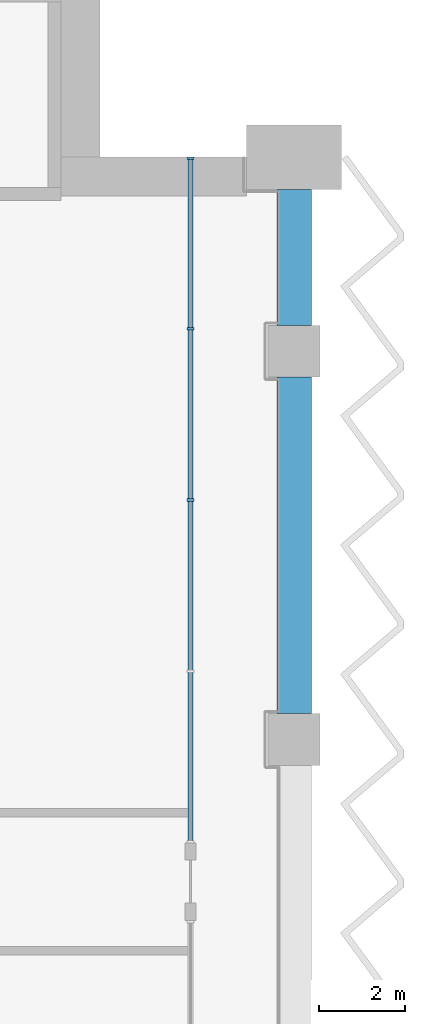
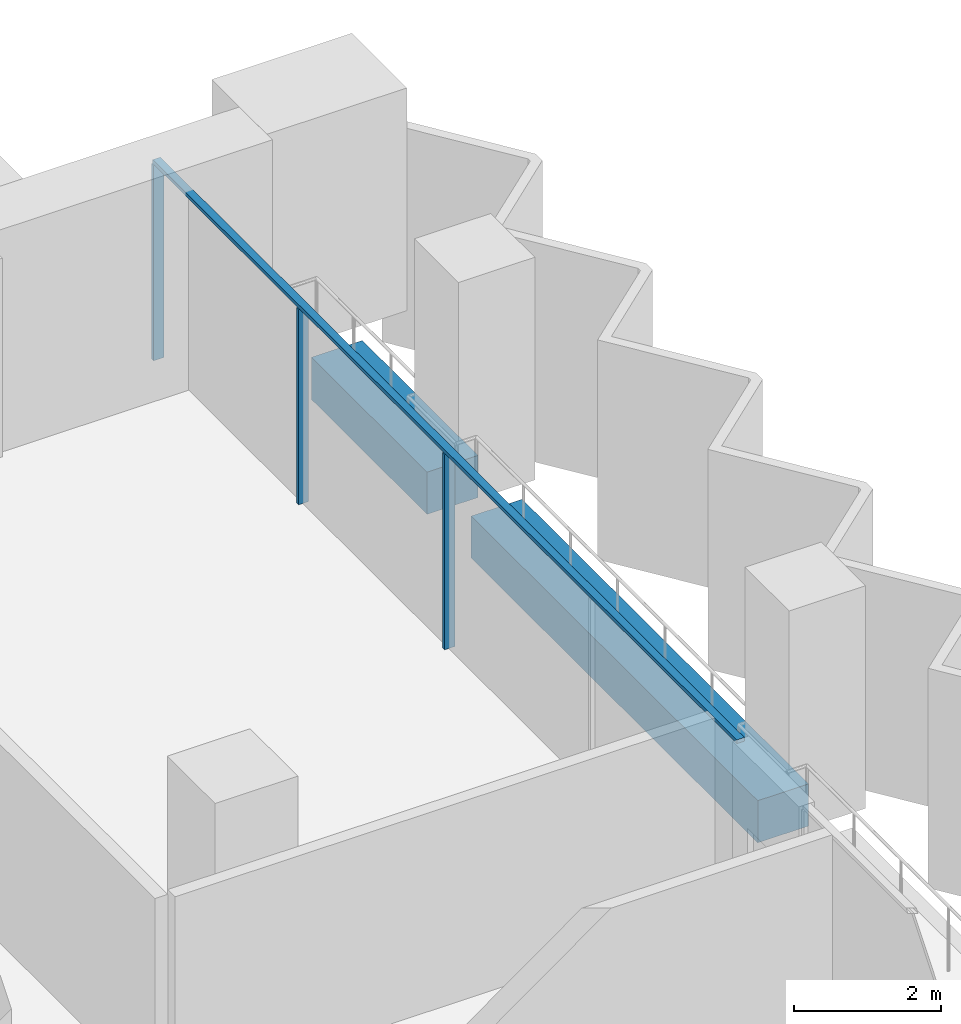
# One storey, part 6 of 23: 4 members, 2 beams, 1 element without a shape of its own.
"""IFC4 building model written with IfcOpenShell, lengths in metres."""

from ifc_helpers import new_model, si_unit, direction, frame, origin, origin_2d, place, context, subcontext, project, spatial, rectangle, extrude, material, material_profile, profile_set, type_object, element, aggregate, save


model = new_model("IFC4")

# Units and contexts
model_context = context("Model", 3, precision=1e-05, world=origin(), true_north=direction((0.0, 1.0)))
body_context = subcontext(model_context, "Body", "Model", "MODEL_VIEW")
ifc_project = project(units=[si_unit("LENGTHUNIT", "METRE"), si_unit("AREAUNIT", "SQUARE_METRE"), si_unit("VOLUMEUNIT", "CUBIC_METRE"), si_unit("PLANEANGLEUNIT", "RADIAN"), si_unit("MASSUNIT", "GRAM", prefix="KILO")], contexts=[model_context])

# Site, building, storey
site_placement = place(None, origin())
site = spatial("IfcSite", under=ifc_project, at=site_placement, CompositionType="ELEMENT")
building_placement = place(site_placement, origin())
building = spatial("IfcBuilding", under=site, at=building_placement, Name="Hunhe Ridgeline Campus", CompositionType="ELEMENT")
storey_placement = place(building_placement, frame((0.0, 0.0, 107.0)))
storey = spatial("IfcBuildingStorey", under=building, at=storey_placement, Name="L26", CompositionType="ELEMENT", Elevation=107.0)

# Curtain wall, members
ifc_material_1 = material(Name="Aluminium 6063", Category="aluminium")
curtain_wall_type = type_object("IfcCurtainWallType", Name="Curtain wall CW-1", PredefinedType="NOTDEFINED", material=ifc_material_1)
curtain_wall_placement = place(storey_placement, origin())
curtain_wall = element("IfcCurtainWall", 1, at=curtain_wall_placement, inside=storey, type_object=curtain_wall_type, Name="Curtain wall 16", PredefinedType="NOTDEFINED")
ifc_material_profile_1 = material_profile(ifc_material_1, rectangle(XDim=0.159912109375, YDim=0.06005859375, at=origin_2d()))
ifc_profile_set_1 = profile_set([ifc_material_profile_1], Name="Aluminium 6063")
member_type_1 = type_object("IfcMemberType", Name="CW-1 aluminium mullion", PredefinedType="MULLION", material=ifc_profile_set_1)
member_1_placement = place(storey_placement, frame((78.59912109375, 86.55029296875, 0.0), z_axis=(0.0, 0.0, 1.0), x_axis=(-1.0, 0.0, 0.0)))
member_1 = element("IfcMember", 2, at=member_1_placement, type_object=member_type_1, Name="CW-1 mullion 3", PredefinedType="MULLION", context=body_context, shape_type="SweptSolid", body=[
    extrude(rectangle(XDim=0.159912109375, YDim=0.06005859375, at=origin_2d()), origin(), (0.0, 0.0, 1.0), 3.239990234375),
])
member_2_placement = place(storey_placement, frame((78.59912109375, 90.525146484375, 0.0), z_axis=(0.0, 0.0, 1.0), x_axis=(-1.0, 0.0, 0.0)))
member_2 = element("IfcMember", 3, at=member_2_placement, type_object=member_type_1, Name="CW-1 mullion 4", PredefinedType="MULLION", context=body_context, shape_type="SweptSolid", body=[
    extrude(rectangle(XDim=0.159912109375, YDim=0.06005859375, at=origin_2d()), origin(), (0.0, 0.0, 1.0), 3.239990234375),
])
member_3_placement = place(storey_placement, frame((78.59912109375, 94.469970703125, 0.0), z_axis=(0.0, 0.0, 1.0), x_axis=(-1.0, 0.0, 0.0)))
member_3 = element("IfcMember", 4, at=member_3_placement, type_object=member_type_1, Name="CW-1 mullion 5", PredefinedType="MULLION", context=body_context, shape_type="SweptSolid", body=[
    extrude(rectangle(XDim=0.159912109375, YDim=0.06005859375, at=origin_2d()), origin(), (0.0, 0.0, 1.0), 3.239990234375),
])
ifc_material_profile_2 = material_profile(ifc_material_1, rectangle(XDim=0.1201171875, YDim=0.06005859375, at=origin_2d()))
ifc_profile_set_2 = profile_set([ifc_material_profile_2], Name="Aluminium 6063")
member_type_2 = type_object("IfcMemberType", Name="CW-1 aluminium transom", PredefinedType="USERDEFINED", material=ifc_profile_set_2)
member_4_placement = place(storey_placement, frame((78.59912109375, 78.6005859375, 3.27001953125), z_axis=(0.0, 1.0, 0.0), x_axis=(-1.0, 0.0, 0.0)))
member_4 = element("IfcMember", 5, at=member_4_placement, type_object=member_type_2, Name="CW-1 transom 1", ObjectType="TRANSOM", PredefinedType="USERDEFINED", context=body_context, shape_type="SweptSolid", body=[
    extrude(rectangle(XDim=0.1201171875, YDim=0.06005859375, at=origin_2d()), origin(), (0.0, 0.0, 1.0), 15.8994140625),
])
aggregate(curtain_wall, [member_4, member_1, member_2, member_3])

# Beams
ifc_material_2 = material(Name="Concrete C60", Category="concrete")
ifc_material_profile_3 = material_profile(ifc_material_2, rectangle(XDim=0.800048828125, YDim=0.699951171875, at=origin_2d()))
ifc_profile_set_3 = profile_set([ifc_material_profile_3], Name="Concrete C60")
beam_type = type_object("IfcBeamType", Name="RC spandrel beam 800x700 Concrete C60", PredefinedType="SPANDREL", material=ifc_profile_set_3)
beam_1_placement = place(storey_placement, frame((81.0, 81.60009765625, -0.60009765625), z_axis=(0.0, 1.0, 0.0), x_axis=(-1.0, 0.0, 0.0)))
element("IfcBeam", 6, at=beam_1_placement, inside=storey, type_object=beam_type, Name="Spandrel beam B1-21 L26", PredefinedType="SPANDREL", context=body_context, shape_type="SweptSolid", body=[
    extrude(rectangle(XDim=0.800048828125, YDim=0.699951171875, at=origin_2d()), origin(), (0.0, 0.0, 1.0), 7.7998046875),
])
beam_2_placement = place(storey_placement, frame((81.0, 90.60009765625, -0.60009765625), z_axis=(0.0, 1.0, 0.0), x_axis=(-1.0, 0.0, 0.0)))
element("IfcBeam", 7, at=beam_2_placement, inside=storey, type_object=beam_type, Name="Spandrel beam B1-22 L26", PredefinedType="SPANDREL", context=body_context, shape_type="SweptSolid", body=[
    extrude(rectangle(XDim=0.800048828125, YDim=0.699951171875, at=origin_2d()), origin(), (0.0, 0.0, 1.0), 3.14990234375),
])

save(model, "model.ifc")
